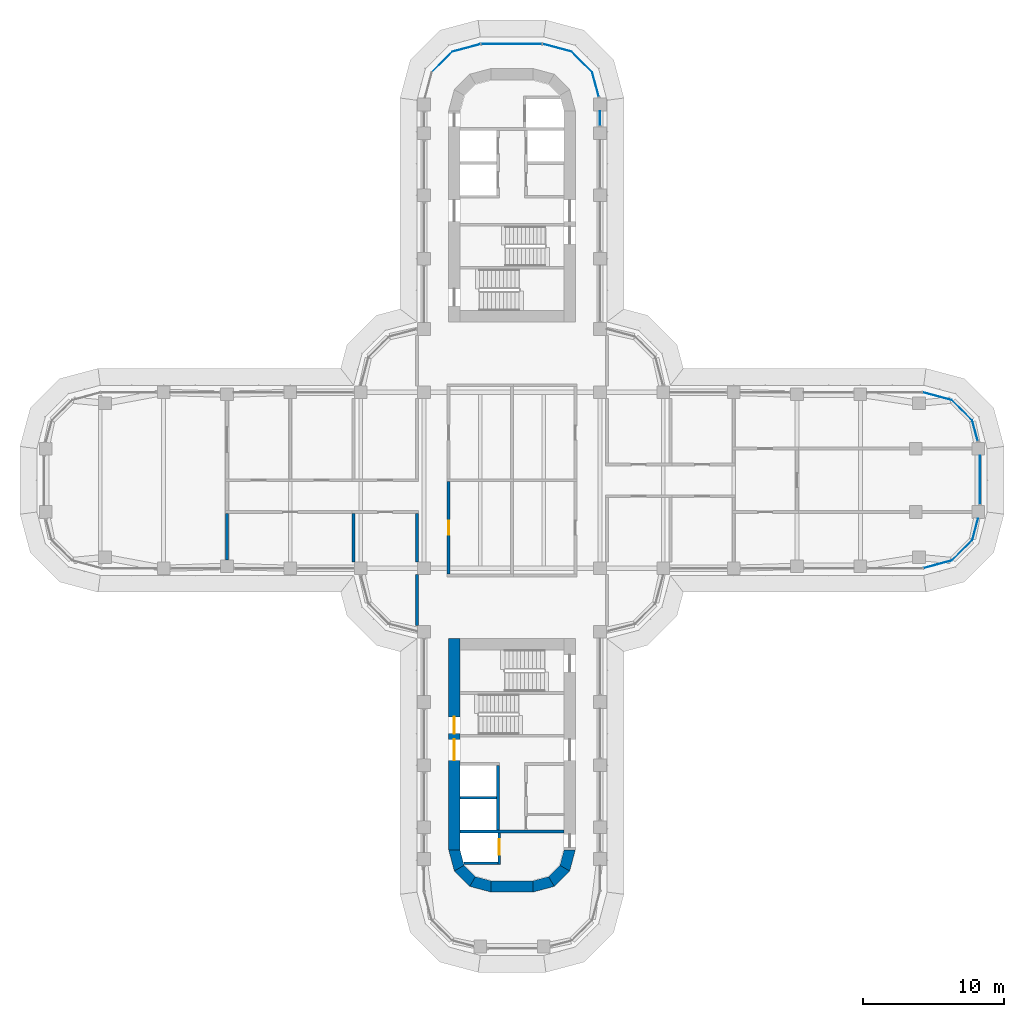
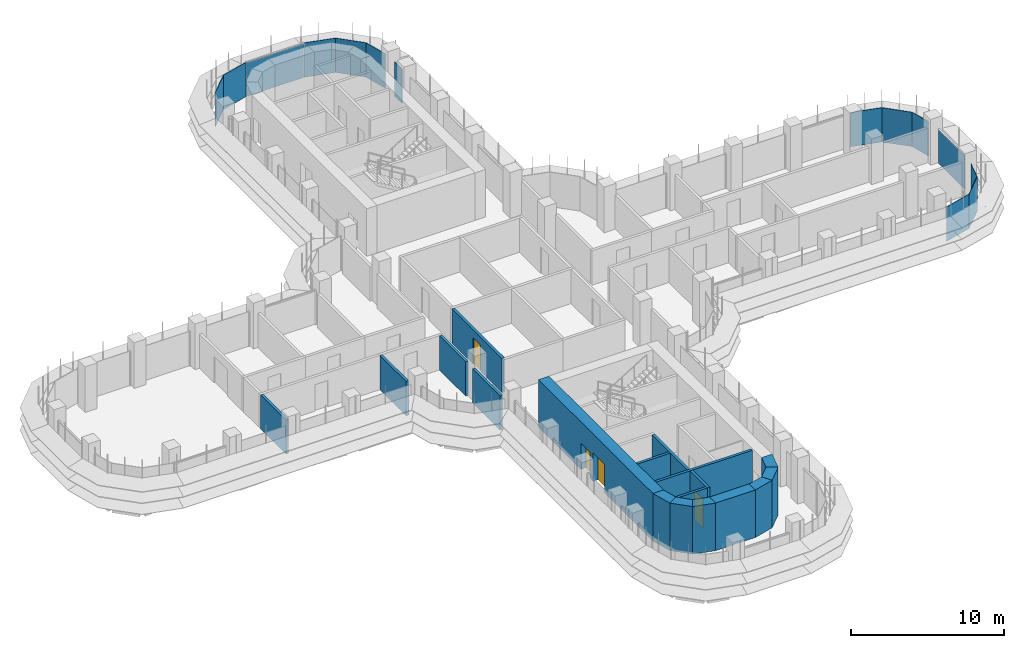
# One storey, part 15 of 22: 18 walls, 14 plates, 4 doors, 4 openings, 14 elements without a shape of their own.
"""IFC4 building model written with IfcOpenShell, lengths in metres."""

from ifc_helpers import new_model, si_unit, direction, frame, frame_2d, origin, place, context, subcontext, project, spatial, polyline, rectangle, outline, extrude, source, transform, mapped, material, layer, layer_set, type_object, element, fill, aggregate, save


model = new_model("IFC4")

# Units and contexts
model_context = context("Model", 3, precision=1e-05, world=origin(), true_north=direction((0.0, 1.0)))
body_context = subcontext(model_context, "Body", "Model", "MODEL_VIEW")
ifc_project = project(units=[si_unit("LENGTHUNIT", "METRE"), si_unit("AREAUNIT", "SQUARE_METRE"), si_unit("VOLUMEUNIT", "CUBIC_METRE"), si_unit("PLANEANGLEUNIT", "RADIAN"), si_unit("MASSUNIT", "GRAM", prefix="KILO")], contexts=[model_context])

# Site, building, storey
site_placement = place(None, origin())
site = spatial("IfcSite", under=ifc_project, at=site_placement, CompositionType="ELEMENT")
building_placement = place(site_placement, origin())
building = spatial("IfcBuilding", under=site, at=building_placement, Name="Zarbagh Exchange Tower", CompositionType="ELEMENT")
storey_placement = place(building_placement, frame((0.0, 0.0, 113.199951171875)))
storey = spatial("IfcBuildingStorey", under=building, at=storey_placement, Name="L26", CompositionType="ELEMENT", Elevation=113.199951171875)

# Curtain wall, plate
ifc_material_1 = material(Name="Anodised aluminium frame and glazing", Category="aluminium")
curtain_wall_type = type_object("IfcCurtainWallType", Name="CWA Ribbon glazing, lower zones", PredefinedType="NOTDEFINED", material=ifc_material_1)
curtain_wall_1_placement = place(storey_placement, origin())
curtain_wall_1 = element("IfcCurtainWall", 1, at=curtain_wall_1_placement, inside=storey, type_object=curtain_wall_type, Name="CWA13 curtain wall", PredefinedType="NOTDEFINED")
ifc_material_2 = material(Name="Low-e double glazed unit, 6+12+6 mm")
ifc_layer_1 = layer(ifc_material_2, 0.028076171875)
ifc_layer_set_1 = layer_set([ifc_layer_1], Name="PAA Glazing panel, Low-e double glazed unit, 6+12+6 mm")
plate_type = type_object("IfcPlateType", Name="PAA Glazing panel, Low-e double glazed unit, 6+12+6 mm", PredefinedType="CURTAIN_PANEL", material=ifc_layer_set_1)
shared_shape_1 = source(origin(), body_context, "Body", "SweptSolid", [
    extrude(outline(polyline([(0.0, -0.013916015625), (1.494140625, -0.013916015625), (1.494140625, 0.013916015625), (0.0, 0.013916015625), (0.0, -0.013916015625)])), origin(), (0.0, 0.0, 1.0), 2.75),
])
placement = place(storey_placement, origin())
plate_1 = element("IfcPlate", 2, at=placement, type_object=plate_type, Name="CWA13 glazing panel 1.1", PredefinedType="CURTAIN_PANEL", context=body_context, shape_type="MappedRepresentation", body=[
    mapped(shared_shape_1, transform((33.08544921875, 2.7978515625, 0.0), x_axis=(-0.258824779902, 0.965924289636, 0.0), y_axis=(-0.965924289636, -0.258824779902, 0.0), z_axis=(0.0, 0.0, 1.0))),
])
aggregate(curtain_wall_1, [plate_1])

curtain_wall_2_placement = place(storey_placement, origin())
curtain_wall_2 = element("IfcCurtainWall", 3, at=curtain_wall_2_placement, inside=storey, type_object=curtain_wall_type, Name="CWA10 curtain wall", PredefinedType="NOTDEFINED")
shared_shape_2 = source(origin(), body_context, "Body", "SweptSolid", [
    extrude(outline(polyline([(0.0, -0.013916015625), (2.061279296875, -0.013916015625), (2.061279296875, 0.013916015625), (0.0, 0.013916015625), (0.0, -0.013916015625)])), origin(), (0.0, 0.0, 1.0), 2.75),
])
plate_2 = element("IfcPlate", 4, at=placement, type_object=plate_type, Name="CWA10 glazing panel 1.1", PredefinedType="CURTAIN_PANEL", context=body_context, shape_type="MappedRepresentation", body=[
    mapped(shared_shape_2, transform((31.2412109375, -5.69873046875, 0.0), x_axis=(0.707106781187, 0.707106781187, 0.0), y_axis=(-0.707106781187, 0.707106781187, 0.0), z_axis=(0.0, 0.0, 1.0))),
])
aggregate(curtain_wall_2, [plate_2])

curtain_wall_3_placement = place(storey_placement, origin())
curtain_wall_3 = element("IfcCurtainWall", 5, at=curtain_wall_3_placement, inside=storey, type_object=curtain_wall_type, Name="CWA14 curtain wall", PredefinedType="NOTDEFINED")
plate_3 = element("IfcPlate", 6, at=placement, type_object=plate_type, Name="CWA14 glazing panel 1.1", PredefinedType="CURTAIN_PANEL", context=body_context, shape_type="MappedRepresentation", body=[
    mapped(shared_shape_2, transform((32.69873046875, 4.2412109375, 0.0), x_axis=(-0.707106781187, 0.707106781187, 0.0), y_axis=(-0.707106781187, -0.707106781187, 0.0), z_axis=(0.0, 0.0, 1.0))),
])
aggregate(curtain_wall_3, [plate_3])

curtain_wall_4_placement = place(storey_placement, origin())
curtain_wall_4 = element("IfcCurtainWall", 7, at=curtain_wall_4_placement, inside=storey, type_object=curtain_wall_type, Name="CWA51 curtain wall", PredefinedType="NOTDEFINED")
plate_4 = element("IfcPlate", 8, at=placement, type_object=plate_type, Name="CWA51 glazing panel 1.1", PredefinedType="CURTAIN_PANEL", context=body_context, shape_type="MappedRepresentation", body=[
    mapped(shared_shape_2, transform((5.69873046875, 28.9912109375, 0.0), x_axis=(-0.707106781187, 0.707106781187, 0.0), y_axis=(-0.707106781187, -0.707106781187, 0.0), z_axis=(0.0, 0.0, 1.0))),
])
aggregate(curtain_wall_4, [plate_4])

curtain_wall_5_placement = place(storey_placement, origin())
curtain_wall_5 = element("IfcCurtainWall", 9, at=curtain_wall_5_placement, inside=storey, type_object=curtain_wall_type, Name="CWA54 curtain wall", PredefinedType="NOTDEFINED")
plate_5 = element("IfcPlate", 10, at=placement, type_object=plate_type, Name="CWA54 glazing panel 1.1", PredefinedType="CURTAIN_PANEL", context=body_context, shape_type="MappedRepresentation", body=[
    mapped(shared_shape_2, transform((-4.2412109375, 30.44873046875, 0.0), x_axis=(-0.707106781187, -0.707106781187, 0.0), y_axis=(0.707106781187, -0.707106781187, 0.0), z_axis=(0.0, 0.0, 1.0))),
])
aggregate(curtain_wall_5, [plate_5])

curtain_wall_6_placement = place(storey_placement, origin())
curtain_wall_6 = element("IfcCurtainWall", 11, at=curtain_wall_6_placement, inside=storey, type_object=curtain_wall_type, Name="CWA15 curtain wall", PredefinedType="NOTDEFINED")
shared_shape_3 = source(origin(), body_context, "Body", "SweptSolid", [
    extrude(outline(polyline([(0.0, -0.013916015625), (2.129638671875, -0.013916015625), (2.129638671875, 0.013916015625), (0.0, 0.013916015625), (0.0, -0.013916015625)])), origin(), (0.0, 0.0, 1.0), 2.75),
])
plate_6 = element("IfcPlate", 12, at=placement, type_object=plate_type, Name="CWA15 glazing panel 1.1", PredefinedType="CURTAIN_PANEL", context=body_context, shape_type="MappedRepresentation", body=[
    mapped(shared_shape_3, transform((31.2412109375, 5.69873046875, 0.0), x_axis=(-0.965924289636, 0.258824779902, 0.0), y_axis=(-0.258824779902, -0.965924289636, 0.0), z_axis=(0.0, 0.0, 1.0))),
])
aggregate(curtain_wall_6, [plate_6])

curtain_wall_7_placement = place(storey_placement, origin())
curtain_wall_7 = element("IfcCurtainWall", 13, at=curtain_wall_7_placement, inside=storey, type_object=curtain_wall_type, Name="CWA52 curtain wall", PredefinedType="NOTDEFINED")
plate_7 = element("IfcPlate", 14, at=placement, type_object=plate_type, Name="CWA52 glazing panel 1.1", PredefinedType="CURTAIN_PANEL", context=body_context, shape_type="MappedRepresentation", body=[
    mapped(shared_shape_3, transform((4.2412109375, 30.44873046875, 0.0), x_axis=(-0.965924289636, 0.258824779902, 0.0), y_axis=(-0.258824779902, -0.965924289636, 0.0), z_axis=(0.0, 0.0, 1.0))),
])
aggregate(curtain_wall_7, [plate_7])

curtain_wall_8_placement = place(storey_placement, origin())
curtain_wall_8 = element("IfcCurtainWall", 15, at=curtain_wall_8_placement, inside=storey, type_object=curtain_wall_type, Name="CWA09 curtain wall", PredefinedType="NOTDEFINED")
shared_shape_4 = source(origin(), body_context, "Body", "SweptSolid", [
    extrude(outline(polyline([(0.0, -0.013916015625), (2.069580078125, -0.013916015625), (2.069580078125, 0.013916015625), (0.0, 0.013916015625), (0.0, -0.013916015625)])), origin(), (0.0, 0.0, 1.0), 2.75),
])
plate_8 = element("IfcPlate", 16, at=placement, type_object=plate_type, Name="CWA09 glazing panel 1.1", PredefinedType="CURTAIN_PANEL", context=body_context, shape_type="MappedRepresentation", body=[
    mapped(shared_shape_4, transform((29.2421875, -6.234375, 0.0), x_axis=(0.965924289636, 0.258824779902, 0.0), y_axis=(-0.258824779902, 0.965924289636, 0.0), z_axis=(0.0, 0.0, 1.0))),
])
aggregate(curtain_wall_8, [plate_8])

curtain_wall_9_placement = place(storey_placement, origin())
curtain_wall_9 = element("IfcCurtainWall", 17, at=curtain_wall_9_placement, inside=storey, type_object=curtain_wall_type, Name="CWA53 curtain wall", PredefinedType="NOTDEFINED")
plate_9 = element("IfcPlate", 18, at=placement, type_object=plate_type, Name="CWA53 glazing panel 1.1", PredefinedType="CURTAIN_PANEL", context=body_context, shape_type="MappedRepresentation", body=[
    mapped(shared_shape_4, transform((-2.2421875, 30.984375, 0.0), x_axis=(-0.965924289636, -0.258824779902, 0.0), y_axis=(0.258824779902, -0.965924289636, 0.0), z_axis=(0.0, 0.0, 1.0))),
])
aggregate(curtain_wall_9, [plate_9])

curtain_wall_10_placement = place(storey_placement, origin())
curtain_wall_10 = element("IfcCurtainWall", 19, at=curtain_wall_10_placement, inside=storey, type_object=curtain_wall_type, Name="CWA11 curtain wall", PredefinedType="NOTDEFINED")
shared_shape_5 = source(origin(), body_context, "Body", "SweptSolid", [
    extrude(outline(polyline([(0.0, -0.013916015625), (1.55419921875, -0.013916015625), (1.55419921875, 0.013916015625), (0.0, 0.013916015625), (0.0, -0.013916015625)])), origin(), (0.0, 0.0, 1.0), 2.75),
])
plate_10 = element("IfcPlate", 20, at=placement, type_object=plate_type, Name="CWA11 glazing panel 1.1", PredefinedType="CURTAIN_PANEL", context=body_context, shape_type="MappedRepresentation", body=[
    mapped(shared_shape_5, transform((32.69873046875, -4.2412109375, 0.0), x_axis=(0.258824779902, 0.965924289636, 0.0), y_axis=(-0.965924289636, 0.258824779902, 0.0), z_axis=(0.0, 0.0, 1.0))),
])
aggregate(curtain_wall_10, [plate_10])

curtain_wall_11_placement = place(storey_placement, origin())
curtain_wall_11 = element("IfcCurtainWall", 21, at=curtain_wall_11_placement, inside=storey, type_object=curtain_wall_type, Name="CWA12 curtain wall", PredefinedType="NOTDEFINED")
shared_shape_6 = source(origin(), body_context, "Body", "SweptSolid", [
    extrude(outline(polyline([(0.0, -0.013916015625), (3.4599609375, -0.013916015625), (3.4599609375, 0.013916015625), (0.0, 0.013916015625), (0.0, -0.013916015625)])), origin(), (0.0, 0.0, 1.0), 2.68994140625),
])
plate_11 = element("IfcPlate", 22, at=placement, type_object=plate_type, Name="CWA12 glazing panel 1.1", PredefinedType="CURTAIN_PANEL", context=body_context, shape_type="MappedRepresentation", body=[
    mapped(shared_shape_6, transform((33.25, -1.699951171875, 0.0), x_axis=(0.0, 1.0, 0.0), y_axis=(-1.0, 0.0, 0.0), z_axis=(0.0, 0.0, 1.0))),
])
aggregate(curtain_wall_11, [plate_11])

curtain_wall_12_placement = place(storey_placement, origin())
curtain_wall_12 = element("IfcCurtainWall", 23, at=curtain_wall_12_placement, inside=storey, type_object=curtain_wall_type, Name="CWA49 curtain wall", PredefinedType="NOTDEFINED")
shared_shape_7 = source(origin(), body_context, "Body", "SweptSolid", [
    extrude(outline(polyline([(0.0, -0.013916015625), (1.010009765625, -0.013916015625), (1.010009765625, 0.013916015625), (0.0, 0.013916015625), (0.0, -0.013916015625)])), origin(), (0.0, 0.0, 1.0), 2.75),
])
plate_12 = element("IfcPlate", 24, at=placement, type_object=plate_type, Name="CWA49 glazing panel 4.1", PredefinedType="CURTAIN_PANEL", context=body_context, shape_type="MappedRepresentation", body=[
    mapped(shared_shape_7, transform((6.25, 25.199951171875, 0.0), x_axis=(0.0, 1.0, 0.0), y_axis=(-1.0, 0.0, 0.0), z_axis=(0.0, 0.0, 1.0))),
])
aggregate(curtain_wall_12, [plate_12])

curtain_wall_13_placement = place(storey_placement, origin())
curtain_wall_13 = element("IfcCurtainWall", 25, at=curtain_wall_13_placement, inside=storey, type_object=curtain_wall_type, Name="CWA50 curtain wall", PredefinedType="NOTDEFINED")
shared_shape_8 = source(origin(), body_context, "Body", "SweptSolid", [
    extrude(outline(polyline([(0.0, -0.013916015625), (1.8046875, -0.013916015625), (1.8046875, 0.013916015625), (0.0, 0.013916015625), (0.0, -0.013916015625)])), origin(), (0.0, 0.0, 1.0), 2.75),
])
plate_13 = element("IfcPlate", 26, at=placement, type_object=plate_type, Name="CWA50 glazing panel 1.1", PredefinedType="CURTAIN_PANEL", context=body_context, shape_type="MappedRepresentation", body=[
    mapped(shared_shape_8, transform((6.166015625, 27.248046875, 0.0), x_axis=(-0.258824779902, 0.965924289636, 0.0), y_axis=(-0.965924289636, -0.258824779902, 0.0), z_axis=(0.0, 0.0, 1.0))),
])
aggregate(curtain_wall_13, [plate_13])

curtain_wall_14_placement = place(storey_placement, origin())
curtain_wall_14 = element("IfcCurtainWall", 27, at=curtain_wall_14_placement, inside=storey, type_object=curtain_wall_type, Name="CWA57 curtain wall", PredefinedType="NOTDEFINED")
shared_shape_9 = source(origin(), body_context, "Body", "SweptSolid", [
    extrude(outline(polyline([(0.0, -0.013916015625), (4.308349609375, -0.013916015625), (4.308349609375, 0.013916015625), (0.0, 0.013916015625), (0.0, -0.013916015625)])), origin(), (0.0, 0.0, 1.0), 2.68994140625),
])
plate_14 = element("IfcPlate", 28, at=placement, type_object=plate_type, Name="CWA57 glazing panel 1.1", PredefinedType="CURTAIN_PANEL", context=body_context, shape_type="MappedRepresentation", body=[
    mapped(shared_shape_9, transform((2.124267578125, 31.0, 0.0), x_axis=(-1.0, 0.0, 0.0), y_axis=(0.0, -1.0, 0.0), z_axis=(0.0, 0.0, 1.0))),
])
aggregate(curtain_wall_14, [plate_14])

# Wall, opening, door
ifc_material_3 = material(Name="Fire-rated plasterboard partition")
ifc_layer_2 = layer(ifc_material_3, 0.199951171875)
ifc_layer_set_2 = layer_set([ifc_layer_2], Name="RATED PARTITION 200")
wall_type_1 = type_object("IfcWallType", Name="RATED PARTITION 200", PredefinedType="PARTITIONING", material=ifc_layer_set_2)
wall_1_placement = place(storey_placement, frame((-4.5, -0.10009765625, 0.0), z_axis=(0.0, 0.0, 1.0), x_axis=(0.0, -1.0, 0.0)))
wall_1 = element("IfcWall", 29, at=wall_1_placement, inside=storey, type_object=wall_type_1, Name="Partition W-902", PredefinedType="PARTITIONING", context=body_context, shape_type="SweptSolid", body=[
    extrude(rectangle(XDim=6.5498046875, YDim=0.199951171875, at=frame_2d((3.27490234375, 0.0))), origin(), (0.0, 0.0, 1.0), 2.738037109375),
])
opening_1_placement = place(wall_1_placement, frame((2.77490234375, 0.0, 0.0)))
opening_1 = element("IfcOpeningElement", 30, at=opening_1_placement, cuts=wall_1, Name="Opening D-904", PredefinedType="OPENING", context=body_context, shape_type="SweptSolid", body=[
    extrude(rectangle(XDim=1.0, YDim=2.10009765625, at=frame_2d((0.5, 1.050048828125))), frame((0.0, 0.10986328125, 0.0), z_axis=(0.0, -1.0, 0.0), x_axis=(1.0, 0.0, 0.0)), (0.0, 0.0, 1.0), 0.219970703125),
])
ifc_material_4 = material(Name="Steel door set", Category="steel")
door_type_1 = type_object("IfcDoorType", Name="FIRE DOOR 1000 X 2100 FD30S", OperationType="NOTDEFINED", PredefinedType="DOOR", material=ifc_material_4)
door_1_placement = place(opening_1_placement, origin())
door_1 = element("IfcDoor", 31, at=door_1_placement, inside=storey, type_object=door_type_1, Name="Door D-904", OperationType="SINGLE_SWING_LEFT", OverallHeight=2.10009765625, OverallWidth=1.0, PredefinedType="DOOR", context=body_context, shape_type="SweptSolid", body=[
    extrude(rectangle(XDim=1.0, YDim=2.10009765625, at=frame_2d((0.5, 1.050048828125))), frame((0.0, 0.02490234375, 0.0), z_axis=(0.0, -1.0, 0.0), x_axis=(1.0, 0.0, 0.0)), (0.0, 0.0, 1.0), 0.050048828125),
])
fill(opening_1, door_1)

# Walls
wall_2_placement = place(storey_placement, frame((-6.75, -10.300048828125, 0.0), z_axis=(0.0, 0.0, 1.0), x_axis=(0.0, 1.0, 0.0)))
element("IfcWall", 32, at=wall_2_placement, inside=storey, type_object=wall_type_1, Name="Partition W-905", PredefinedType="PARTITIONING", context=body_context, shape_type="SweptSolid", body=[
    extrude(rectangle(XDim=3.60009765625, YDim=0.199951171875, at=frame_2d((1.800048828125, 0.0))), origin(), (0.0, 0.0, 1.0), 2.738037109375),
])
for number, where, z_axis, x_axis, name in (
    (33, (-6.75, -5.800048828125, 0.0), (0.0, 0.0, 1.0), (0.0, 1.0, 0.0), "Partition W-906"),
    (34, (-11.25, -5.800048828125, 0.0), (0.0, 0.0, 1.0), (0.0, 1.0, 0.0), "Partition W-945"),
):
    element("IfcWall", number, at=place(storey_placement, frame(where, z_axis=z_axis, x_axis=x_axis)), inside=storey, type_object=wall_type_1, Name=name, PredefinedType="PARTITIONING", context=body_context, shape_type="SweptSolid", body=[
        extrude(rectangle(XDim=3.449951171875, YDim=0.199951171875, at=frame_2d((1.72509765625, 0.0))), origin(), (0.0, 0.0, 1.0), 2.738037109375),
    ])
wall_3_placement = place(storey_placement, frame((-20.25, -5.659912109375, 0.0), z_axis=(0.0, 0.0, 1.0), x_axis=(0.0, 1.0, 0.0)))
element("IfcWall", 35, at=wall_3_placement, inside=storey, type_object=wall_type_1, Name="Partition W-948", PredefinedType="PARTITIONING", context=body_context, shape_type="SweptSolid", body=[
    extrude(rectangle(XDim=3.309814453125, YDim=0.199951171875, at=frame_2d((1.65478515625, 0.0))), origin(), (0.0, 0.0, 1.0), 2.738037109375),
])
ifc_material_5 = material(Name="Concrete C60/75", Category="concrete")
ifc_layer_3 = layer(ifc_material_5, 0.800048828125)
ifc_layer_set_3 = layer_set([ifc_layer_3], Name="RC core corner wall 800 C60/75")
wall_type_2 = type_object("IfcWallType", Name="RC core corner wall 800 C60/75", PredefinedType="SHEAR", material=ifc_layer_set_3)
wall_4_placement = place(storey_placement, origin())
element("IfcWall", 36, at=wall_4_placement, inside=storey, type_object=wall_type_2, Name="CW4 core S corner W", PredefinedType="SHEAR", context=body_context, shape_type="SweptSolid", body=[
    extrude(outline(polyline([(-4.5, -26.25), (-4.09814453125, -27.75), (-3.4052734375, -27.35009765625), (-3.699951171875, -26.25), (-4.5, -26.25)])), origin(), (0.0, 0.0, 1.0), 3.800048828125),
])
wall_5_placement = place(storey_placement, origin())
element("IfcWall", 37, at=wall_5_placement, inside=storey, type_object=wall_type_2, Name="CW4 core S corner W", PredefinedType="SHEAR", context=body_context, shape_type="SweptSolid", body=[
    extrude(outline(polyline([(-4.09814453125, -27.75), (-3.0, -28.84814453125), (-2.60009765625, -28.1552734375), (-3.4052734375, -27.35009765625), (-4.09814453125, -27.75)])), origin(), (0.0, 0.0, 1.0), 3.800048828125),
])
wall_6_placement = place(storey_placement, origin())
element("IfcWall", 38, at=wall_6_placement, inside=storey, type_object=wall_type_2, Name="CW4 core S corner W", PredefinedType="SHEAR", context=body_context, shape_type="SweptSolid", body=[
    extrude(outline(polyline([(-3.0, -28.84814453125), (-1.5, -29.25), (-1.5, -28.449951171875), (-2.60009765625, -28.1552734375), (-3.0, -28.84814453125)])), origin(), (0.0, 0.0, 1.0), 3.800048828125),
])
wall_7_placement = place(storey_placement, origin())
element("IfcWall", 39, at=wall_7_placement, inside=storey, type_object=wall_type_2, Name="CW4 core S corner E", PredefinedType="SHEAR", context=body_context, shape_type="SweptSolid", body=[
    extrude(outline(polyline([(4.5, -26.25), (4.09814453125, -27.75), (3.4052734375, -27.35009765625), (3.699951171875, -26.25), (4.5, -26.25)])), origin(), (0.0, 0.0, 1.0), 3.800048828125),
])
wall_8_placement = place(storey_placement, origin())
element("IfcWall", 40, at=wall_8_placement, inside=storey, type_object=wall_type_2, Name="CW4 core S corner E", PredefinedType="SHEAR", context=body_context, shape_type="SweptSolid", body=[
    extrude(outline(polyline([(4.09814453125, -27.75), (3.0, -28.84814453125), (2.60009765625, -28.1552734375), (3.4052734375, -27.35009765625), (4.09814453125, -27.75)])), origin(), (0.0, 0.0, 1.0), 3.800048828125),
])
wall_9_placement = place(storey_placement, origin())
element("IfcWall", 41, at=wall_9_placement, inside=storey, type_object=wall_type_2, Name="CW4 core S corner E", PredefinedType="SHEAR", context=body_context, shape_type="SweptSolid", body=[
    extrude(outline(polyline([(3.0, -28.84814453125), (1.5, -29.25), (1.5, -28.449951171875), (2.60009765625, -28.1552734375), (3.0, -28.84814453125)])), origin(), (0.0, 0.0, 1.0), 3.800048828125),
])

# Wall, openings, doors
ifc_layer_4 = layer(ifc_material_5, 0.800048828125)
ifc_layer_set_4 = layer_set([ifc_layer_4], Name="RC core wall 800 C60/75")
wall_type_3 = type_object("IfcWallType", Name="RC core wall 800 C60/75", PredefinedType="SHEAR", material=ifc_layer_set_4)
wall_10_placement = place(storey_placement, frame((-4.10009765625, -11.25, 0.0), z_axis=(0.0, 0.0, 1.0), x_axis=(0.0, -1.0, 0.0)))
wall_10 = element("IfcWall", 42, at=wall_10_placement, inside=storey, type_object=wall_type_3, Name="CW3 core S W", PredefinedType="SHEAR", context=body_context, shape_type="SweptSolid", body=[
    extrude(rectangle(XDim=15.0, YDim=0.800048828125, at=frame_2d((7.5, 0.0))), origin(), (0.0, 0.0, 1.0), 3.800048828125),
])
opening_2_placement = place(wall_10_placement, frame((7.14990234375, 0.0, 0.0)))
opening_2 = element("IfcOpeningElement", 43, at=opening_2_placement, cuts=wall_10, Name="Opening CD1-1500", PredefinedType="OPENING", context=body_context, shape_type="SweptSolid", body=[
    extrude(rectangle(XDim=1.5, YDim=2.300048828125, at=frame_2d((0.75, 1.14990234375))), frame((0.0, 0.409912109375, 0.0), z_axis=(0.0, -1.0, 0.0), x_axis=(1.0, 0.0, 0.0)), (0.0, 0.0, 1.0), 0.820068359375),
])
opening_3_placement = place(wall_10_placement, frame((5.550048828125, 0.0, 0.0)))
opening_3 = element("IfcOpeningElement", 44, at=opening_3_placement, cuts=wall_10, Name="Opening SD1-1200", PredefinedType="OPENING", context=body_context, shape_type="SweptSolid", body=[
    extrude(rectangle(XDim=1.199951171875, YDim=2.10009765625, at=frame_2d((0.60009765625, 1.050048828125))), frame((0.0, 0.409912109375, 0.0), z_axis=(0.0, -1.0, 0.0), x_axis=(1.0, 0.0, 0.0)), (0.0, 0.0, 1.0), 0.820068359375),
])
ifc_material_6 = material(Name="Steel", Category="steel")
door_type_2 = type_object("IfcDoorType", Name="Exit stair door 1200 x 2100", OperationType="NOTDEFINED", PredefinedType="DOOR", material=ifc_material_6)
door_2_placement = place(opening_3_placement, origin())
door_2 = element("IfcDoor", 45, at=door_2_placement, inside=storey, type_object=door_type_2, Name="South core stair door ST1", OperationType="SINGLE_SWING_RIGHT", OverallHeight=2.10009765625, OverallWidth=1.199951171875, PredefinedType="DOOR", context=body_context, shape_type="SweptSolid", body=[
    extrude(rectangle(XDim=1.199951171875, YDim=2.10009765625, at=frame_2d((0.60009765625, 1.050048828125))), frame((0.0, 0.02490234375, 0.0), z_axis=(0.0, -1.0, 0.0), x_axis=(1.0, 0.0, 0.0)), (0.0, 0.0, 1.0), 0.050048828125),
])
fill(opening_3, door_2)
door_type_3 = type_object("IfcDoorType", Name="Lift lobby double door 1500 x 2300", OperationType="NOTDEFINED", PredefinedType="DOOR", material=ifc_material_6)
door_3_placement = place(opening_2_placement, origin())
door_3 = element("IfcDoor", 46, at=door_3_placement, inside=storey, type_object=door_type_3, Name="South core lift lobby door LOBBY-E", OperationType="DOUBLE_DOOR_SINGLE_SWING", OverallHeight=2.300048828125, OverallWidth=1.5, PredefinedType="DOOR", context=body_context, shape_type="SweptSolid", body=[
    extrude(rectangle(XDim=1.5, YDim=2.300048828125, at=frame_2d((0.75, 1.14990234375))), frame((0.0, 0.02490234375, 0.0), z_axis=(0.0, -1.0, 0.0), x_axis=(1.0, 0.0, 0.0)), (0.0, 0.0, 1.0), 0.050048828125),
])
fill(opening_2, door_3)

# Walls
wall_11_placement = place(storey_placement, frame((-1.5, -28.85009765625, 0.0), z_axis=(0.0, 0.0, 1.0), x_axis=(1.0, 0.0, 0.0)))
element("IfcWall", 47, at=wall_11_placement, inside=storey, type_object=wall_type_3, Name="CW3 core S outer end", PredefinedType="SHEAR", context=body_context, shape_type="SweptSolid", body=[
    extrude(rectangle(XDim=3.0, YDim=0.800048828125, at=frame_2d((1.5, 0.0))), origin(), (0.0, 0.0, 1.0), 3.800048828125),
])
ifc_material_7 = material(Name="Dense blockwork", Category="masonry")
ifc_layer_5 = layer(ifc_material_7, 0.199951171875)
ifc_layer_set_5 = layer_set([ifc_layer_5], Name="Shaft wall 200 mm blockwork")
wall_type_4 = type_object("IfcWallType", Name="Shaft wall 200 mm blockwork", PredefinedType="PARTITIONING", material=ifc_layer_set_5)
wall_12_placement = place(storey_placement, frame((-1.0, -24.85009765625, 0.0), z_axis=(0.0, 0.0, 1.0), x_axis=(0.0, 1.0, 0.0)))
element("IfcWall", 48, at=wall_12_placement, inside=storey, type_object=wall_type_4, Name="South core shaft wall LW-E", PredefinedType="PARTITIONING", context=body_context, shape_type="SweptSolid", body=[
    extrude(rectangle(XDim=4.60009765625, YDim=0.199951171875, at=frame_2d((2.300048828125, 0.0))), origin(), (0.0, 0.0, 1.0), 3.650146484375),
])
wall_13_placement = place(storey_placement, frame((-1.10009765625, -22.550048828125, 0.0), z_axis=(0.0, 0.0, 1.0), x_axis=(-1.0, 0.0, 0.0)))
element("IfcWall", 49, at=wall_13_placement, inside=storey, type_object=wall_type_4, Name="South core shaft wall TR-E", PredefinedType="PARTITIONING", context=body_context, shape_type="SweptSolid", body=[
    extrude(rectangle(XDim=2.599853515625, YDim=0.199951171875, at=frame_2d((1.2998046875, 0.0))), origin(), (0.0, 0.0, 1.0), 3.650146484375),
])
ifc_material_8 = material(Name="Concrete C40/50", Category="concrete")
ifc_layer_6 = layer(ifc_material_8, 0.199951171875)
ifc_layer_set_6 = layer_set([ifc_layer_6], Name="Stair enclosure wall 200 mm RC C40/50")
wall_type_5 = type_object("IfcWallType", Name="Stair enclosure wall 200 mm RC C40/50", PredefinedType="SHEAR", material=ifc_layer_set_6)
wall_14_placement = place(storey_placement, frame((3.699951171875, -24.949951171875, 0.0), z_axis=(0.0, 0.0, 1.0), x_axis=(-1.0, 0.0, 0.0)))
element("IfcWall", 50, at=wall_14_placement, inside=storey, type_object=wall_type_5, Name="South core lift shaft wall FFA", PredefinedType="SHEAR", context=body_context, shape_type="SweptSolid", body=[
    extrude(rectangle(XDim=7.39990234375, YDim=0.199951171875, at=frame_2d((3.699951171875, 0.0))), origin(), (0.0, 0.0, 1.0), 3.650146484375),
])

# Wall, opening, door
wall_15_placement = place(storey_placement, frame((-0.89990234375, -27.300048828125, 0.0), z_axis=(0.0, 0.0, 1.0), x_axis=(0.0, 1.0, 0.0)))
wall_15 = element("IfcWall", 51, at=wall_15_placement, inside=storey, type_object=wall_type_5, Name="South core lift shaft wall FFL", PredefinedType="SHEAR", context=body_context, shape_type="SweptSolid", body=[
    extrude(rectangle(XDim=2.25, YDim=0.199951171875, at=frame_2d((1.125, 0.0))), origin(), (0.0, 0.0, 1.0), 3.650146484375),
])
opening_4_placement = place(wall_15_placement, frame((0.699951171875, 0.0, 0.0)))
opening_4 = element("IfcOpeningElement", 52, at=opening_4_placement, cuts=wall_15, Name="Opening LD-1100", PredefinedType="OPENING", context=body_context, shape_type="SweptSolid", body=[
    extrude(rectangle(XDim=1.10009765625, YDim=2.300048828125, at=frame_2d((0.550048828125, 1.14990234375))), frame((0.0, 0.10986328125, 0.0), z_axis=(0.0, -1.0, 0.0), x_axis=(1.0, 0.0, 0.0)), (0.0, 0.0, 1.0), 0.219970703125),
])
ifc_material_9 = material(Name="Stainless steel", Category="steel")
door_type_4 = type_object("IfcDoorType", Name="Lift landing door 1100 x 2300", OperationType="NOTDEFINED", PredefinedType="DOOR", material=ifc_material_9)
door_4_placement = place(opening_4_placement, origin())
door_4 = element("IfcDoor", 53, at=door_4_placement, inside=storey, type_object=door_type_4, Name="South core lift landing door LD-F", OperationType="DOUBLE_DOOR_SLIDING", OverallHeight=2.300048828125, OverallWidth=1.10009765625, PredefinedType="DOOR", context=body_context, shape_type="SweptSolid", body=[
    extrude(rectangle(XDim=1.10009765625, YDim=2.300048828125, at=frame_2d((0.550048828125, 1.14990234375))), frame((0.0, 0.02490234375, 0.0), z_axis=(0.0, -1.0, 0.0), x_axis=(1.0, 0.0, 0.0)), (0.0, 0.0, 1.0), 0.050048828125),
])
fill(opening_4, door_4)

# Wall
wall_16_placement = place(storey_placement, origin())
element("IfcWall", 54, at=wall_16_placement, inside=storey, type_object=wall_type_5, Name="South core lift shaft wall FFX", PredefinedType="SHEAR", context=body_context, shape_type="SweptSolid", body=[
    extrude(outline(polyline([(-1.0, -27.10009765625), (-3.444091796875, -27.10009765625), (-3.390380859375, -27.300048828125), (-1.0, -27.300048828125), (-1.0, -27.10009765625)])), origin(), (0.0, 0.0, 1.0), 3.650146484375),
])

save(model, "model.ifc")
